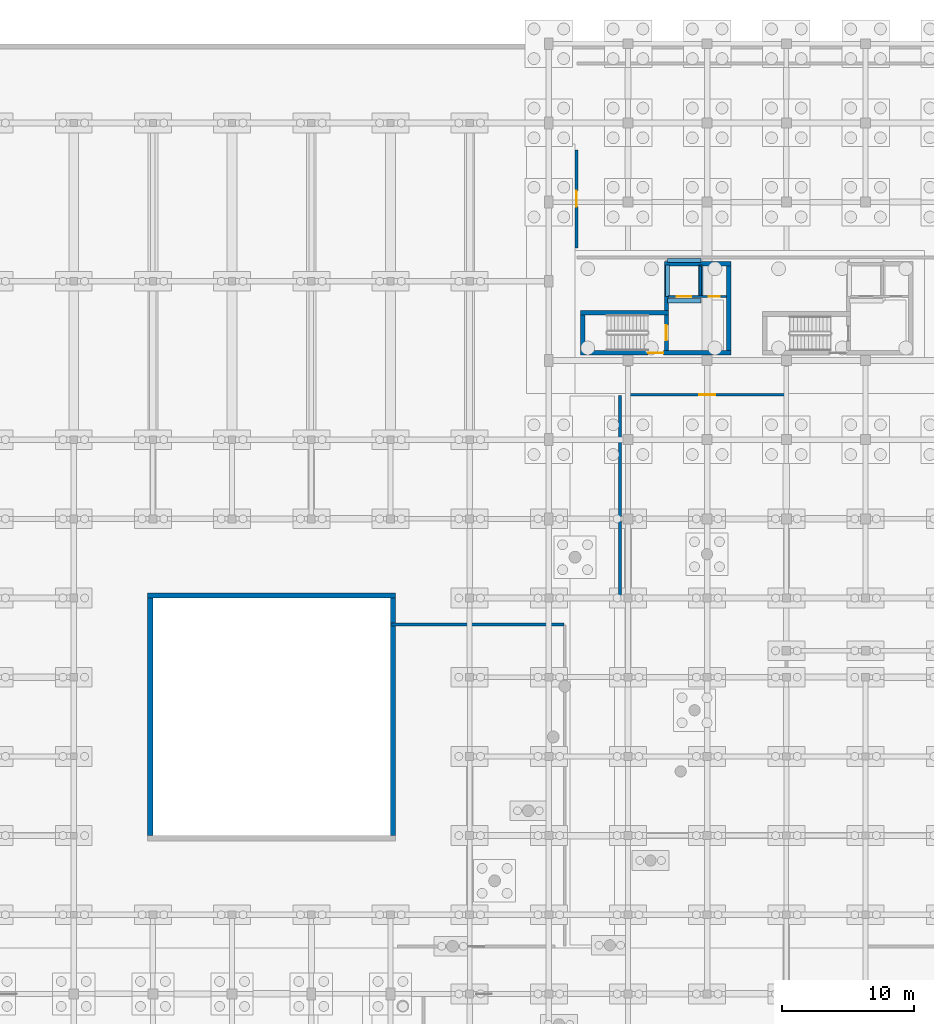
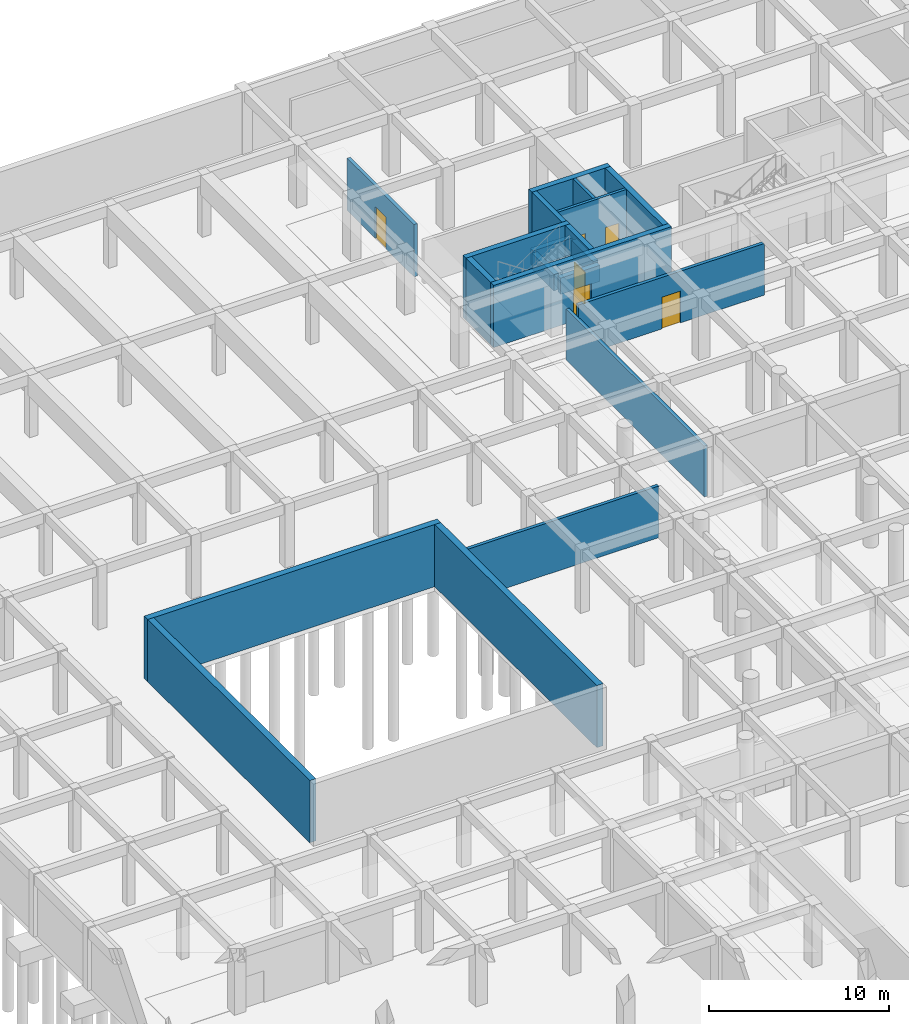
# One storey, part 29 of 41: 20 walls, 6 doors, 6 openings.
"""IFC4 building model written with IfcOpenShell, lengths in metres."""

from ifc_helpers import new_model, si_unit, direction, frame, frame_2d, origin, place, context, subcontext, project, spatial, rectangle, extrude, material, layer, layer_set, type_object, element, fill, save


model = new_model("IFC4")

# Units and contexts
model_context = context("Model", 3, precision=1e-05, world=origin(), true_north=direction((0.0, 1.0)))
body_context = subcontext(model_context, "Body", "Model", "MODEL_VIEW")
ifc_project = project(units=[si_unit("LENGTHUNIT", "METRE"), si_unit("AREAUNIT", "SQUARE_METRE"), si_unit("VOLUMEUNIT", "CUBIC_METRE"), si_unit("PLANEANGLEUNIT", "RADIAN"), si_unit("MASSUNIT", "GRAM", prefix="KILO"), si_unit("POWERUNIT", "WATT"), si_unit("THERMODYNAMICTEMPERATUREUNIT", "KELVIN")], contexts=[model_context])

# Site, building, storey
site_placement = place(None, origin())
site = spatial("IfcSite", under=ifc_project, at=site_placement, CompositionType="ELEMENT")
building_placement = place(site_placement, origin())
building = spatial("IfcBuilding", under=site, at=building_placement, Name="Ruvembo Vaulted Housing Court", CompositionType="ELEMENT")
storey_placement = place(building_placement, frame((0.0, 0.0, -4.5)))
storey = spatial("IfcBuildingStorey", under=building, at=storey_placement, Name="B1", CompositionType="ELEMENT", Elevation=-4.5)

# Wall, opening, door
ifc_material_1 = material(Name="Concrete C35/45", Category="concrete")
ifc_layer_1 = layer(ifc_material_1, 0.300048828125, Name="Concrete C35/45")
ifc_layer_set_1 = layer_set([ifc_layer_1], Name="Concrete C35/45")
wall_type_1 = type_object("IfcWallType", Name="WL-CORE-300", PredefinedType="SHEAR", material=ifc_layer_set_1)
wall_1_placement = place(storey_placement, frame((56.89990234375, 90.75, 0.0), z_axis=(0.0, 0.0, 1.0), x_axis=(0.0, 1.0, 0.0)))
wall_1 = element("IfcWall", 1, at=wall_1_placement, inside=storey, type_object=wall_type_1, Name="Core B1 B1 Stair-Lobby Shear Wall", PredefinedType="SHEAR", context=body_context, shape_type="SweptSolid", body=[
    extrude(rectangle(XDim=2.699951171875, YDim=0.300048828125, at=frame_2d((1.35009765625, 0.0))), origin(), (0.0, 0.0, 1.0), 4.215087890625),
])
opening_1_placement = place(wall_1_placement, frame((0.77490234375, 0.0, 0.0)))
opening_1 = element("IfcOpeningElement", 2, at=opening_1_placement, cuts=wall_1, Name="Opening SD1", PredefinedType="OPENING", context=body_context, shape_type="SweptSolid", body=[
    extrude(rectangle(XDim=1.14990234375, YDim=2.14990234375, at=frame_2d((0.574951171875, 1.074951171875))), frame((0.0, 0.159912109375, 0.0), z_axis=(0.0, -1.0, 0.0), x_axis=(1.0, 0.0, 0.0)), (0.0, 0.0, 1.0), 0.320068359375),
])
ifc_material_2 = material(Name="Galvanised Painted Steel", Category="steel")
door_type_1 = type_object("IfcDoorType", Name="DR-STAIR-1150x2150", OperationType="NOTDEFINED", PredefinedType="DOOR", material=ifc_material_2)
door_1_placement = place(opening_1_placement, origin())
door_1 = element("IfcDoor", 3, at=door_1_placement, inside=storey, type_object=door_type_1, Name="Stair ST-B1 B1 Fire Door", OperationType="SINGLE_SWING_RIGHT", OverallHeight=2.14990234375, OverallWidth=1.14990234375, PredefinedType="DOOR", context=body_context, shape_type="SweptSolid", body=[
    extrude(rectangle(XDim=1.14990234375, YDim=2.14990234375, at=frame_2d((0.574951171875, 1.074951171875))), frame((0.0, 0.02490234375, 0.0), z_axis=(0.0, -1.0, 0.0), x_axis=(1.0, 0.0, 0.0)), (0.0, 0.0, 1.0), 0.050048828125),
])
fill(opening_1, door_1)

# Wall
wall_2_placement = place(storey_placement, frame((56.89990234375, 93.800048828125, 0.0), z_axis=(0.0, 0.0, 1.0), x_axis=(0.0, 1.0, 0.0)))
element("IfcWall", 4, at=wall_2_placement, inside=storey, type_object=wall_type_1, Name="Core B1 B1 Upper West Shear Wall", PredefinedType="SHEAR", context=body_context, shape_type="SweptSolid", body=[
    extrude(rectangle(XDim=3.349853515625, YDim=0.300048828125, at=frame_2d((1.6748046875, 0.0))), origin(), (0.0, 0.0, 1.0), 4.215087890625),
])

# Wall, opening, door
ifc_layer_2 = layer(ifc_material_1, 0.35009765625, Name="Concrete C35/45")
ifc_layer_set_2 = layer_set([ifc_layer_2], Name="Concrete C35/45")
wall_type_2 = type_object("IfcWallType", Name="WL-CORE-350", PredefinedType="SHEAR", material=ifc_layer_set_2)
wall_3_placement = place(storey_placement, frame((50.39990234375, 90.574951171875, 0.0), z_axis=(0.0, 0.0, 1.0), x_axis=(1.0, 0.0, 0.0)))
wall_3 = element("IfcWall", 5, at=wall_3_placement, inside=storey, type_object=wall_type_2, Name="Core B1 B1 South Shear Wall", PredefinedType="SHEAR", context=body_context, shape_type="SweptSolid", body=[
    extrude(rectangle(XDim=11.400146484375, YDim=0.35009765625, at=frame_2d((5.7001953125, 0.0))), origin(), (0.0, 0.0, 1.0), 4.215087890625),
])
opening_2_placement = place(wall_3_placement, frame((5.125, 0.0, 0.0)))
opening_2 = element("IfcOpeningElement", 6, at=opening_2_placement, cuts=wall_3, Name="Opening LD0", PredefinedType="OPENING", context=body_context, shape_type="SweptSolid", body=[
    extrude(rectangle(XDim=1.14990234375, YDim=2.14990234375, at=frame_2d((0.574951171875, 1.074951171875))), frame((0.0, 0.18505859375, 0.0), z_axis=(0.0, -1.0, 0.0), x_axis=(1.0, 0.0, 0.0)), (0.0, 0.0, 1.0), 0.3701171875),
])
door_type_2 = type_object("IfcDoorType", Name="DR-LOB-1150x2150", OperationType="NOTDEFINED", PredefinedType="DOOR", material=ifc_material_2)
door_2_placement = place(opening_2_placement, origin())
door_2 = element("IfcDoor", 7, at=door_2_placement, inside=storey, type_object=door_type_2, Name="Core B1 B1 Lobby Fire Door", OperationType="SINGLE_SWING_LEFT", OverallHeight=2.14990234375, OverallWidth=1.14990234375, PredefinedType="DOOR", context=body_context, shape_type="SweptSolid", body=[
    extrude(rectangle(XDim=1.14990234375, YDim=2.14990234375, at=frame_2d((0.574951171875, 1.074951171875))), frame((0.0, 0.02490234375, 0.0), z_axis=(0.0, -1.0, 0.0), x_axis=(1.0, 0.0, 0.0)), (0.0, 0.0, 1.0), 0.050048828125),
])
fill(opening_2, door_2)

# Walls
wall_4_placement = place(storey_placement, frame((57.050048828125, 93.625, 0.0), z_axis=(0.0, 0.0, 1.0), x_axis=(-1.0, 0.0, 0.0)))
element("IfcWall", 8, at=wall_4_placement, inside=storey, type_object=wall_type_2, Name="Core B1 B1 Stair North Shear Wall", PredefinedType="SHEAR", context=body_context, shape_type="SweptSolid", body=[
    extrude(rectangle(XDim=6.650146484375, YDim=0.35009765625, at=frame_2d((3.3251953125, 0.0))), origin(), (0.0, 0.0, 1.0), 4.215087890625),
])
wall_5_placement = place(storey_placement, frame((50.574951171875, 93.449951171875, 0.0), z_axis=(0.0, 0.0, 1.0), x_axis=(0.0, -1.0, 0.0)))
element("IfcWall", 9, at=wall_5_placement, inside=storey, type_object=wall_type_2, Name="Core B1 B1 Stair West Shear Wall", PredefinedType="SHEAR", context=body_context, shape_type="SweptSolid", body=[
    extrude(rectangle(XDim=2.699951171875, YDim=0.35009765625, at=frame_2d((1.35009765625, 0.0))), origin(), (0.0, 0.0, 1.0), 4.215087890625),
])
wall_6_placement = place(storey_placement, frame((61.800048828125, 97.324951171875, 0.0), z_axis=(0.0, 0.0, 1.0), x_axis=(-1.0, 0.0, 0.0)))
element("IfcWall", 10, at=wall_6_placement, inside=storey, type_object=wall_type_2, Name="Core B1 B1 North Shear Wall", PredefinedType="SHEAR", context=body_context, shape_type="SweptSolid", body=[
    extrude(rectangle(XDim=5.050048828125, YDim=0.35009765625, at=frame_2d((2.52490234375, 0.0))), origin(), (0.0, 0.0, 1.0), 4.215087890625),
])
wall_7_placement = place(storey_placement, frame((61.625, 90.75, 0.0), z_axis=(0.0, 0.0, 1.0), x_axis=(0.0, 1.0, 0.0)))
element("IfcWall", 11, at=wall_7_placement, inside=storey, type_object=wall_type_2, Name="Core B1 B1 East Shear Wall", PredefinedType="SHEAR", context=body_context, shape_type="SweptSolid", body=[
    extrude(rectangle(XDim=6.39990234375, YDim=0.35009765625, at=frame_2d((3.199951171875, 0.0))), origin(), (0.0, 0.0, 1.0), 4.215087890625),
])

# Wall, opening, door
ifc_material_3 = material(Name="Concrete Blockwork 210", Category="masonry")
ifc_layer_3 = layer(ifc_material_3, 0.2099609375, Name="Concrete Blockwork 210")
ifc_layer_set_3 = layer_set([ifc_layer_3], Name="Concrete Blockwork 210")
wall_type_3 = type_object("IfcWallType", Name="WL-CORR-210", PredefinedType="SOLIDWALL", material=ifc_layer_set_3)
wall_8_placement = place(storey_placement, frame((54.0400390625, 87.39990234375, 0.0), z_axis=(0.0, 0.0, 1.0), x_axis=(1.0, 0.0, 0.0)))
wall_8 = element("IfcWall", 12, at=wall_8_placement, inside=storey, type_object=wall_type_3, Name="B1 Domestic Water Booster Plant WL-INT-B1-00009", PredefinedType="SOLIDWALL", context=body_context, shape_type="SweptSolid", body=[
    extrude(rectangle(XDim=11.919921875, YDim=0.2099609375, at=frame_2d((5.9599609375, 0.0))), origin(), (0.0, 0.0, 1.0), 3.4970703125),
])
opening_3_placement = place(wall_8_placement, frame((5.360107421875, 0.0, 0.0)))
opening_3 = element("IfcOpeningElement", 13, at=opening_3_placement, cuts=wall_8, Name="Opening PD1", PredefinedType="OPENING", context=body_context, shape_type="SweptSolid", body=[
    extrude(rectangle(XDim=1.199951171875, YDim=2.14990234375, at=frame_2d((0.60009765625, 1.074951171875))), frame((0.0, 0.114990234375, 0.0), z_axis=(0.0, -1.0, 0.0), x_axis=(1.0, 0.0, 0.0)), (0.0, 0.0, 1.0), 0.22998046875),
])
door_type_3 = type_object("IfcDoorType", Name="DR-PLANT-1200x2150", OperationType="NOTDEFINED", PredefinedType="DOOR", material=ifc_material_2)
door_3_placement = place(opening_3_placement, origin())
door_3 = element("IfcDoor", 14, at=door_3_placement, inside=storey, type_object=door_type_3, Name="B1 Domestic Water Booster Plant Door DR-INT-B1-00003", OperationType="SINGLE_SWING_LEFT", OverallHeight=2.14990234375, OverallWidth=1.199951171875, PredefinedType="DOOR", context=body_context, shape_type="SweptSolid", body=[
    extrude(rectangle(XDim=1.199951171875, YDim=2.14990234375, at=frame_2d((0.60009765625, 1.074951171875))), frame((0.0, 0.02490234375, 0.0), z_axis=(0.0, -1.0, 0.0), x_axis=(1.0, 0.0, 0.0)), (0.0, 0.0, 1.0), 0.050048828125),
])
fill(opening_3, door_3)

# Wall
wall_9_placement = place(storey_placement, frame((53.39990234375, 87.360107421875, 0.0), z_axis=(0.0, 0.0, 1.0), x_axis=(0.0, -1.0, 0.0)))
element("IfcWall", 15, at=wall_9_placement, inside=storey, type_object=wall_type_3, Name="B1 Domestic Water Booster Plant WL-INT-B1-00012", PredefinedType="SOLIDWALL", context=body_context, shape_type="SweptSolid", body=[
    extrude(rectangle(XDim=15.320068359375, YDim=0.2099609375, at=frame_2d((7.66015625, 0.0))), origin(), (0.0, 0.0, 1.0), 3.447021484375),
])

# Wall, opening, door
wall_10_placement = place(storey_placement, frame((50.10009765625, 98.5400390625, 0.0), z_axis=(0.0, 0.0, 1.0), x_axis=(0.0, 1.0, 0.0)))
wall_10 = element("IfcWall", 16, at=wall_10_placement, inside=storey, type_object=wall_type_3, Name="B1 Solar Battery & LV Switchroom WL-INT-B1-00013", PredefinedType="SOLIDWALL", context=body_context, shape_type="SweptSolid", body=[
    extrude(rectangle(XDim=7.419921875, YDim=0.2099609375, at=frame_2d((3.7099609375, 0.0))), origin(), (0.0, 0.0, 1.0), 3.547119140625),
])
opening_4_placement = place(wall_10_placement, frame((3.110107421875, 0.0, 0.0)))
opening_4 = element("IfcOpeningElement", 17, at=opening_4_placement, cuts=wall_10, Name="Opening PD1", PredefinedType="OPENING", context=body_context, shape_type="SweptSolid", body=[
    extrude(rectangle(XDim=1.199951171875, YDim=2.14990234375, at=frame_2d((0.60009765625, 1.074951171875))), frame((0.0, 0.114990234375, 0.0), z_axis=(0.0, -1.0, 0.0), x_axis=(1.0, 0.0, 0.0)), (0.0, 0.0, 1.0), 0.22998046875),
])
door_4_placement = place(opening_4_placement, origin())
door_4 = element("IfcDoor", 18, at=door_4_placement, inside=storey, type_object=door_type_3, Name="B1 Solar Battery & LV Switchroom Door DR-INT-B1-00004", OperationType="SINGLE_SWING_RIGHT", OverallHeight=2.14990234375, OverallWidth=1.199951171875, PredefinedType="DOOR", context=body_context, shape_type="SweptSolid", body=[
    extrude(rectangle(XDim=1.199951171875, YDim=2.14990234375, at=frame_2d((0.60009765625, 1.074951171875))), frame((0.0, 0.02490234375, 0.0), z_axis=(0.0, -1.0, 0.0), x_axis=(1.0, 0.0, 0.0)), (0.0, 0.0, 1.0), 0.050048828125),
])
fill(opening_4, door_4)

# Walls
wall_11_placement = place(storey_placement, frame((49.159912109375, 70.0, 0.0), z_axis=(0.0, 0.0, 1.0), x_axis=(-1.0, 0.0, 0.0)))
element("IfcWall", 19, at=wall_11_placement, inside=storey, type_object=wall_type_3, Name="B1 Resident Storage Lockers West WL-INT-B1-00039", PredefinedType="SOLIDWALL", context=body_context, shape_type="SweptSolid", body=[
    extrude(rectangle(XDim=13.119873046875, YDim=0.2099609375, at=frame_2d((6.56005859375, 0.0))), origin(), (0.0, 0.0, 1.0), 3.4970703125),
])
ifc_layer_4 = layer(ifc_material_1, 0.324951171875, Name="Concrete C35/45")
ifc_layer_set_4 = layer_set([ifc_layer_4], Name="Concrete C35/45")
wall_type_4 = type_object("IfcWallType", Name="WL-PIT-325", PredefinedType="SHEAR", material=ifc_layer_set_4)
wall_12_placement = place(storey_placement, frame((56.987548828125, 94.52490234375, -1.10009765625), z_axis=(0.0, 0.0, 1.0), x_axis=(1.0, 0.0, 0.0)))
element("IfcWall", 20, at=wall_12_placement, inside=storey, type_object=wall_type_4, Name="Lift LP-B1 Pit Wall 1", PredefinedType="SHEAR", context=body_context, shape_type="SweptSolid", body=[
    extrude(rectangle(XDim=2.52490234375, YDim=0.324951171875, at=frame_2d((1.262451171875, 0.0))), origin(), (0.0, 0.0, 1.0), 1.10009765625),
])
wall_13_placement = place(storey_placement, frame((59.512451171875, 94.85009765625, -1.10009765625), z_axis=(0.0, 0.0, 1.0), x_axis=(0.0, 1.0, 0.0)))
element("IfcWall", 21, at=wall_13_placement, inside=storey, type_object=wall_type_4, Name="Lift LP-B1 Pit Wall 2", PredefinedType="SHEAR", context=body_context, shape_type="SweptSolid", body=[
    extrude(rectangle(XDim=2.39990234375, YDim=0.324951171875, at=frame_2d((1.199951171875, 0.0))), origin(), (0.0, 0.0, 1.0), 1.10009765625),
])
wall_14_placement = place(storey_placement, frame((59.512451171875, 97.574951171875, -1.10009765625), z_axis=(0.0, 0.0, 1.0), x_axis=(-1.0, 0.0, 0.0)))
element("IfcWall", 22, at=wall_14_placement, inside=storey, type_object=wall_type_4, Name="Lift LP-B1 Pit Wall 3", PredefinedType="SHEAR", context=body_context, shape_type="SweptSolid", body=[
    extrude(rectangle(XDim=2.52490234375, YDim=0.324951171875, at=frame_2d((1.262451171875, 0.0))), origin(), (0.0, 0.0, 1.0), 1.10009765625),
])
wall_15_placement = place(storey_placement, frame((56.987548828125, 97.25, -1.10009765625), z_axis=(0.0, 0.0, 1.0), x_axis=(0.0, -1.0, 0.0)))
element("IfcWall", 23, at=wall_15_placement, inside=storey, type_object=wall_type_4, Name="Lift LP-B1 Pit Wall 4", PredefinedType="SHEAR", context=body_context, shape_type="SweptSolid", body=[
    extrude(rectangle(XDim=2.39990234375, YDim=0.324951171875, at=frame_2d((1.199951171875, 0.0))), origin(), (0.0, 0.0, 1.0), 1.10009765625),
])
ifc_layer_5 = layer(ifc_material_1, 0.39990234375, Name="Concrete C35/45")
ifc_layer_set_5 = layer_set([ifc_layer_5], Name="Concrete C35/45")
wall_type_5 = type_object("IfcWallType", Name="WL-RET-400", PredefinedType="USERDEFINED", material=ifc_layer_set_5)
wall_16_placement = place(storey_placement, frame((36.39990234375, 72.199951171875, 0.0), z_axis=(0.0, 0.0, 1.0), x_axis=(-1.0, 0.0, 0.0)))
element("IfcWall", 24, at=wall_16_placement, inside=storey, type_object=wall_type_5, Name="West Heritage Fig Court Tree-Pit Retaining Wall N", ObjectType="RETAININGWALL", PredefinedType="USERDEFINED", context=body_context, shape_type="SweptSolid", body=[
    extrude(rectangle(XDim=18.7998046875, YDim=0.39990234375, at=frame_2d((9.39990234375, 0.0))), origin(), (0.0, 0.0, 1.0), 4.215087890625),
])
for number, where, z_axis, x_axis, name in (
    (25, (17.800048828125, 54.0, 0.0), (0.0, 0.0, 1.0), (0.0, 1.0, 0.0), "West Heritage Fig Court Tree-Pit Retaining Wall W"),
    (26, (36.199951171875, 72.0, 0.0), (0.0, 0.0, 1.0), (0.0, -1.0, 0.0), "West Heritage Fig Court Tree-Pit Retaining Wall E"),
):
    element("IfcWall", number, at=place(storey_placement, frame(where, z_axis=z_axis, x_axis=x_axis)), inside=storey, type_object=wall_type_5, Name=name, ObjectType="RETAININGWALL", PredefinedType="USERDEFINED", context=body_context, shape_type="SweptSolid", body=[
        extrude(rectangle(XDim=18.0, YDim=0.39990234375, at=frame_2d((9.0, 0.0))), origin(), (0.0, 0.0, 1.0), 4.215087890625),
    ])

# Wall, openings, doors
ifc_material_4 = material(Name="Fire-Rated Masonry Shaft 180", Category="masonry")
ifc_layer_6 = layer(ifc_material_4, 0.179931640625, Name="Fire-Rated Masonry Shaft 180")
ifc_layer_set_6 = layer_set([ifc_layer_6], Name="Fire-Rated Masonry Shaft 180")
wall_type_6 = type_object("IfcWallType", Name="WL-SHAFT-180", PredefinedType="SOLIDWALL", material=ifc_layer_set_6)
wall_17_placement = place(storey_placement, frame((57.050048828125, 94.85009765625, 0.0), z_axis=(0.0, 0.0, 1.0), x_axis=(1.0, 0.0, 0.0)))
wall_17 = element("IfcWall", 27, at=wall_17_placement, inside=storey, type_object=wall_type_6, Name="Core B1 B1 Lift and Riser Front Wall", PredefinedType="SOLIDWALL", context=body_context, shape_type="SweptSolid", body=[
    extrude(rectangle(XDim=4.39990234375, YDim=0.179931640625, at=frame_2d((2.199951171875, 0.0))), origin(), (0.0, 0.0, 1.0), 4.215087890625),
])
opening_5_placement = place(wall_17_placement, frame((0.64990234375, 0.0, 0.0)))
opening_5 = element("IfcOpeningElement", 28, at=opening_5_placement, cuts=wall_17, Name="Opening LD-LP-B1-B1", PredefinedType="OPENING", context=body_context, shape_type="SweptSolid", body=[
    extrude(rectangle(XDim=1.10009765625, YDim=2.14990234375, at=frame_2d((0.550048828125, 1.074951171875))), frame((0.0, 0.099853515625, 0.0), z_axis=(0.0, -1.0, 0.0), x_axis=(1.0, 0.0, 0.0)), (0.0, 0.0, 1.0), 0.199951171875),
])
opening_6_placement = place(wall_17_placement, frame((3.050048828125, 0.0, 0.0)))
opening_6 = element("IfcOpeningElement", 29, at=opening_6_placement, cuts=wall_17, Name="Opening RD1", PredefinedType="OPENING", context=body_context, shape_type="SweptSolid", body=[
    extrude(rectangle(XDim=0.85009765625, YDim=2.10009765625, at=frame_2d((0.425048828125, 1.050048828125))), frame((0.0, 0.099853515625, 0.0), z_axis=(0.0, -1.0, 0.0), x_axis=(1.0, 0.0, 0.0)), (0.0, 0.0, 1.0), 0.199951171875),
])
ifc_material_5 = material(Name="Brushed Stainless Steel 304", Category="steel")
door_type_4 = type_object("IfcDoorType", Name="DR-LIFT-1100x2150", OperationType="NOTDEFINED", PredefinedType="DOOR", material=ifc_material_5)
door_5_placement = place(opening_5_placement, origin())
door_5 = element("IfcDoor", 30, at=door_5_placement, inside=storey, type_object=door_type_4, Name="Lift LP-B1 B1 Sliding Landing Door", OperationType="SLIDING_TO_LEFT", OverallHeight=2.14990234375, OverallWidth=1.10009765625, PredefinedType="DOOR", context=body_context, shape_type="SweptSolid", body=[
    extrude(rectangle(XDim=1.10009765625, YDim=2.14990234375, at=frame_2d((0.550048828125, 1.074951171875))), frame((0.0, 0.02490234375, 0.0), z_axis=(0.0, -1.0, 0.0), x_axis=(1.0, 0.0, 0.0)), (0.0, 0.0, 1.0), 0.050048828125),
])
fill(opening_5, door_5)
door_type_5 = type_object("IfcDoorType", Name="DR-RISER-0850x2100", OperationType="NOTDEFINED", PredefinedType="DOOR", material=ifc_material_2)
door_6_placement = place(opening_6_placement, frame((0.85009765625, 0.0, 0.0), z_axis=(0.0, 0.0, 1.0), x_axis=(-1.0, 0.0, 0.0)))
door_6 = element("IfcDoor", 31, at=door_6_placement, inside=storey, type_object=door_type_5, Name="Core B1 B1 Service Riser Door", OperationType="SINGLE_SWING_LEFT", OverallHeight=2.10009765625, OverallWidth=0.85009765625, PredefinedType="DOOR", context=body_context, shape_type="SweptSolid", body=[
    extrude(rectangle(XDim=0.85009765625, YDim=2.10009765625, at=frame_2d((0.425048828125, 1.050048828125))), frame((0.0, 0.02490234375, 0.0), z_axis=(0.0, -1.0, 0.0), x_axis=(1.0, 0.0, 0.0)), (0.0, 0.0, 1.0), 0.050048828125),
])
fill(opening_6, door_6)

# Wall
wall_18_placement = place(storey_placement, frame((59.469970703125, 94.93994140625, 0.0), z_axis=(0.0, 0.0, 1.0), x_axis=(0.0, 1.0, 0.0)))
element("IfcWall", 32, at=wall_18_placement, inside=storey, type_object=wall_type_6, Name="Core B1 B1 Shaft-Riser Divider Wall", PredefinedType="SOLIDWALL", context=body_context, shape_type="SweptSolid", body=[
    extrude(rectangle(XDim=2.2099609375, YDim=0.179931640625, at=frame_2d((1.10498046875, 0.0))), origin(), (0.0, 0.0, 1.0), 4.215087890625),
])

save(model, "model.ifc")
